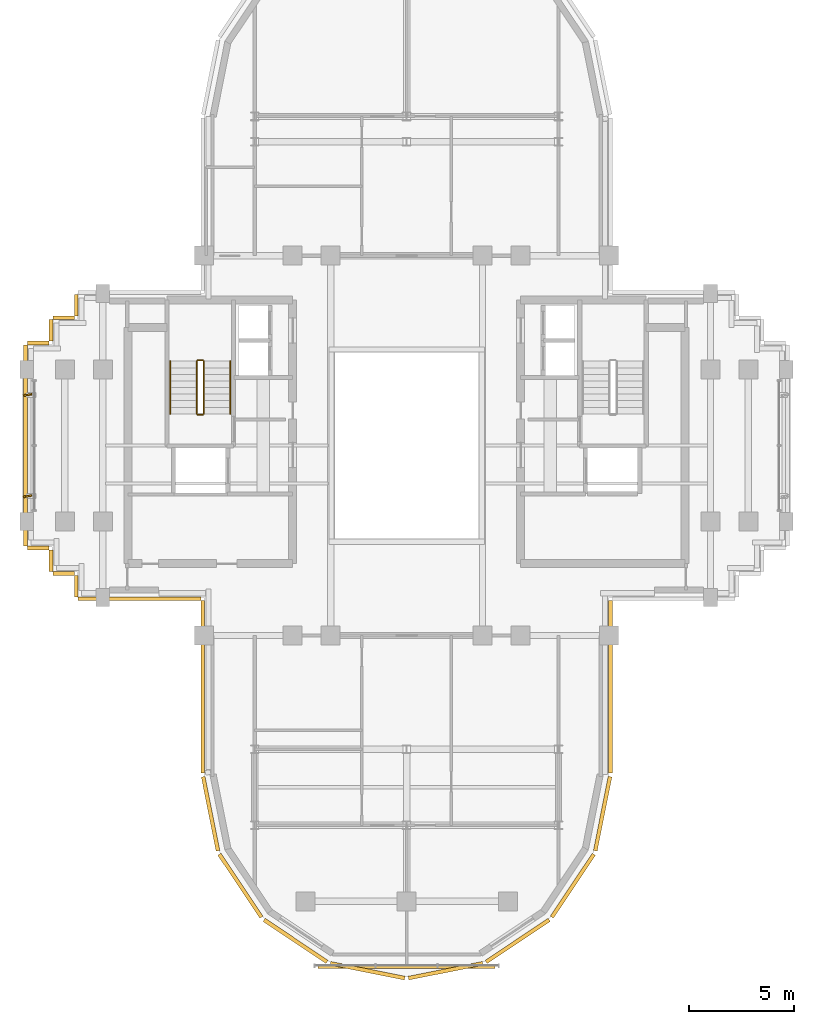
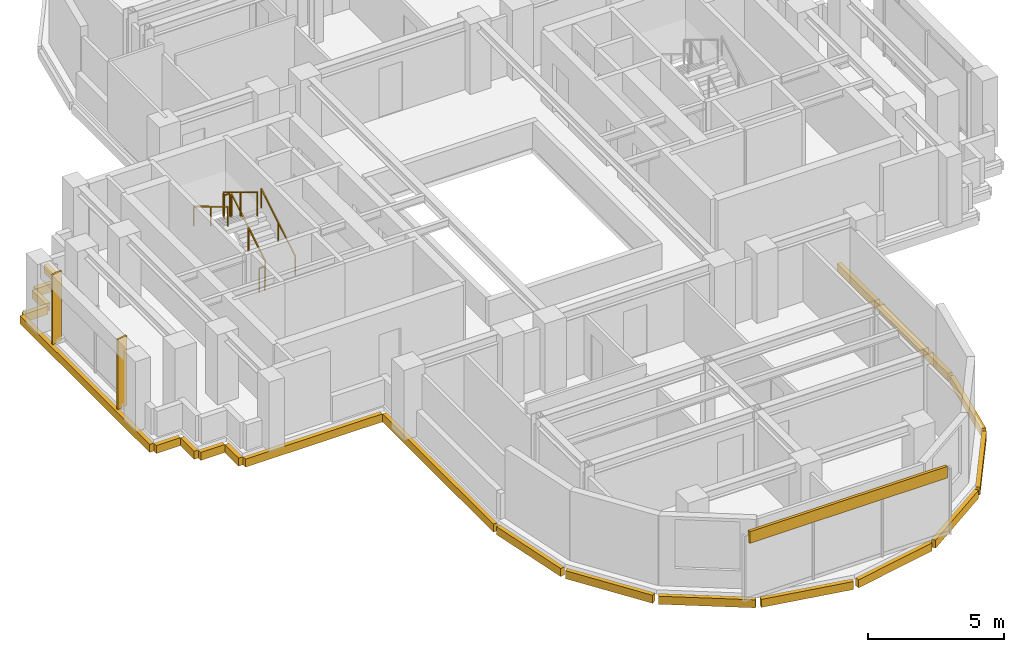
# One storey, part 9 of 11: 21 coverings, 6 railings, 2 shading devices.
"""IFC4 building model written with IfcOpenShell, lengths in metres."""

from ifc_helpers import new_model, si_unit, direction, frame, origin, origin_2d, place, context, subcontext, project, spatial, rectangle, extrude, source, transform, mapped, material, layer, layer_set, type_object, element, save


model = new_model("IFC4")

# Units and contexts
model_context = context("Model", 3, precision=1e-05, world=origin(), true_north=direction((0.0, 1.0)))
body_context = subcontext(model_context, "Body", "Model", "MODEL_VIEW")
ifc_project = project(units=[si_unit("LENGTHUNIT", "METRE"), si_unit("AREAUNIT", "SQUARE_METRE"), si_unit("VOLUMEUNIT", "CUBIC_METRE"), si_unit("PLANEANGLEUNIT", "RADIAN"), si_unit("MASSUNIT", "GRAM", prefix="KILO")], contexts=[model_context])

# Site, building, storey
site_placement = place(None, origin())
site = spatial("IfcSite", under=ifc_project, at=site_placement, CompositionType="ELEMENT")
building_placement = place(site_placement, origin())
building = spatial("IfcBuilding", under=site, at=building_placement, Name="Keilestroom Media Tower", CompositionType="ELEMENT")
storey_placement = place(building_placement, frame((0.0, 0.0, 211.39990234375)))
storey = spatial("IfcBuildingStorey", under=building, at=storey_placement, Name="L58", CompositionType="ELEMENT", Elevation=211.39990234375)

# Railings
ifc_material_1 = material(Name="Brushed Stainless Steel 1.4301", Category="steel")
railing_type_1 = type_object("IfcRailingType", Name="Stair-Pitch-Handrail-920", PredefinedType="HANDRAIL", material=ifc_material_1)
railing_1_placement = place(storey_placement, frame((-8.35009765625, 1.5, 0.18896484375)))
element("IfcRailing", 1, at=railing_1_placement, inside=storey, type_object=railing_type_1, Name="L58 ST-1 stair handrail 1", PredefinedType="HANDRAIL", context=body_context, shape_type="SweptSolid", body=[
    extrude(rectangle(XDim=0.048095703125, YDim=0.048095703125, at=origin_2d()), frame((0.0, 0.0, 0.8759765625), z_axis=(0.0, 0.855433747314, 0.517912255074), x_axis=(-1.0, 0.0, 0.0)), (0.0, 0.0, 1.0), 2.91796875),
    extrude(rectangle(XDim=0.0419921875, YDim=0.0419921875, at=origin_2d()), origin(), (0.0, 0.0, 1.0), 0.84375),
    extrude(rectangle(XDim=0.0419921875, YDim=0.0419921875, at=origin_2d()), frame((0.0, 1.248046875, 0.755615234375)), (0.0, 0.0, 1.0), 0.84375),
    extrude(rectangle(XDim=0.0419921875, YDim=0.0419921875, at=origin_2d()), frame((0.0, 2.49609375, 1.51123046875)), (0.0, 0.0, 1.0), 0.84375),
])
railing_2_placement = place(storey_placement, frame((-11.2099609375, 3.99609375, 1.888916015625)))
element("IfcRailing", 2, at=railing_2_placement, inside=storey, type_object=railing_type_1, Name="L58 ST-1 stair handrail 2", PredefinedType="HANDRAIL", context=body_context, shape_type="SweptSolid", body=[
    extrude(rectangle(XDim=0.048095703125, YDim=0.048095703125, at=origin_2d()), frame((0.0, 0.0, 0.8759765625), z_axis=(0.0, -0.855433747314, 0.517912255074), x_axis=(1.0, 0.0, 0.0)), (0.0, 0.0, 1.0), 2.91796875),
    extrude(rectangle(XDim=0.0419921875, YDim=0.0419921875, at=origin_2d()), origin(), (0.0, 0.0, 1.0), 0.84375),
    extrude(rectangle(XDim=0.0419921875, YDim=0.0419921875, at=origin_2d()), frame((0.0, -1.248046875, 0.755615234375)), (0.0, 0.0, 1.0), 0.84375),
    extrude(rectangle(XDim=0.0419921875, YDim=0.0419921875, at=origin_2d()), frame((0.0, -2.49609375, 1.51123046875)), (0.0, 0.0, 1.0), 0.84375),
])
ifc_material_2 = material(Name="Painted Steel Balustrade", Category="steel")
railing_type_2 = type_object("IfcRailingType", Name="Stair-Well-And-Landing-Guard-1100", PredefinedType="GUARDRAIL", material=ifc_material_2)
railing_3_placement = place(storey_placement, frame((-9.610107421875, 1.5, 0.18896484375)))
element("IfcRailing", 3, at=railing_3_placement, inside=storey, type_object=railing_type_2, Name="L58 ST-1 stair guard 1", PredefinedType="GUARDRAIL", context=body_context, shape_type="SweptSolid", body=[
    extrude(rectangle(XDim=0.048095703125, YDim=0.048095703125, at=origin_2d()), frame((0.0, 0.0, 1.076171875), z_axis=(0.0, 0.855433747314, 0.517912255074), x_axis=(-1.0, 0.0, 0.0)), (0.0, 0.0, 1.0), 2.91796875),
    extrude(rectangle(XDim=0.0419921875, YDim=0.0419921875, at=origin_2d()), origin(), (0.0, 0.0, 1.0), 1.0439453125),
    extrude(rectangle(XDim=0.0419921875, YDim=0.0419921875, at=origin_2d()), frame((0.0, 1.248046875, 0.755615234375)), (0.0, 0.0, 1.0), 1.0439453125),
    extrude(rectangle(XDim=0.0419921875, YDim=0.0419921875, at=origin_2d()), frame((0.0, 2.49609375, 1.51123046875)), (0.0, 0.0, 1.0), 1.0439453125),
])
railing_4_placement = place(storey_placement, frame((-9.659912109375, 4.0458984375, 1.7001953125)))
element("IfcRailing", 4, at=railing_4_placement, inside=storey, type_object=railing_type_2, Name="L58 ST-1 stair guard 2", PredefinedType="GUARDRAIL", context=body_context, shape_type="SweptSolid", body=[
    extrude(rectangle(XDim=0.048095703125, YDim=0.048095703125, at=origin_2d()), frame((0.0, 0.0, 1.076171875), z_axis=(-1.0, 0.0, 0.0), x_axis=(0.0, -1.0, 0.0)), (0.0, 0.0, 1.0), 0.239990234375),
    extrude(rectangle(XDim=0.0419921875, YDim=0.0419921875, at=origin_2d()), origin(), (0.0, 0.0, 1.0), 1.0439453125),
    extrude(rectangle(XDim=0.0419921875, YDim=0.0419921875, at=origin_2d()), frame((-0.239990234375, 0.0, 0.0)), (0.0, 0.0, 1.0), 1.0439453125),
])
railing_5_placement = place(storey_placement, frame((-9.949951171875, 3.99609375, 1.888916015625)))
element("IfcRailing", 5, at=railing_5_placement, inside=storey, type_object=railing_type_2, Name="L58 ST-1 stair guard 3", PredefinedType="GUARDRAIL", context=body_context, shape_type="SweptSolid", body=[
    extrude(rectangle(XDim=0.048095703125, YDim=0.048095703125, at=origin_2d()), frame((0.0, 0.0, 1.076171875), z_axis=(0.0, -0.855433747314, 0.517912255074), x_axis=(1.0, 0.0, 0.0)), (0.0, 0.0, 1.0), 2.91796875),
    extrude(rectangle(XDim=0.0419921875, YDim=0.0419921875, at=origin_2d()), origin(), (0.0, 0.0, 1.0), 1.0439453125),
    extrude(rectangle(XDim=0.0419921875, YDim=0.0419921875, at=origin_2d()), frame((0.0, -1.248046875, 0.755615234375)), (0.0, 0.0, 1.0), 1.0439453125),
    extrude(rectangle(XDim=0.0419921875, YDim=0.0419921875, at=origin_2d()), frame((0.0, -2.49609375, 1.51123046875)), (0.0, 0.0, 1.0), 1.0439453125),
])
railing_6_placement = place(storey_placement, frame((-9.659912109375, 1.449951171875, 0.0)))
element("IfcRailing", 6, at=railing_6_placement, inside=storey, type_object=railing_type_2, Name="L58 ST-1 stair guard 4", PredefinedType="GUARDRAIL", context=body_context, shape_type="SweptSolid", body=[
    extrude(rectangle(XDim=0.048095703125, YDim=0.048095703125, at=origin_2d()), frame((0.0, 0.0, 1.076171875), z_axis=(-1.0, 0.0, 0.0), x_axis=(0.0, -1.0, 0.0)), (0.0, 0.0, 1.0), 0.239990234375),
    extrude(rectangle(XDim=0.0419921875, YDim=0.0419921875, at=origin_2d()), origin(), (0.0, 0.0, 1.0), 1.0439453125),
    extrude(rectangle(XDim=0.0419921875, YDim=0.0419921875, at=origin_2d()), frame((-0.239990234375, 0.0, 0.0)), (0.0, 0.0, 1.0), 1.0439453125),
])

# Covering
ifc_material_3 = material(Name="Precast concrete C40/50", Category="concrete")
ifc_layer = layer(ifc_material_3, 0.1201171875)
ifc_layer_set = layer_set([ifc_layer], Name="Precast concrete C40/50")
covering_type = type_object("IfcCoveringType", Name="Exterior-Precast-Spandrel-Cladding-Panel-120", PredefinedType="CLADDING", material=ifc_layer_set)
shared_shape_1 = source(origin(), body_context, "Body", "SweptSolid", [
    extrude(rectangle(XDim=8.39990234375, YDim=0.1201171875, at=origin_2d()), origin(), (0.0, 0.0, 1.0), 0.52001953125),
])
covering_1_placement = place(storey_placement, frame((0.0, -24.719970703125, 2.630126953125), z_axis=(0.0, 0.0, 1.0), x_axis=(1.0, 0.0, 0.0)))
element("IfcCovering", 7, at=covering_1_placement, inside=storey, type_object=covering_type, Name="L58 Precast Spandrel Cladding S", PredefinedType="CLADDING", context=body_context, shape_type="MappedRepresentation", body=[
    mapped(shared_shape_1, transform((0.0, 0.0, 0.0), x_axis=(1.0, 0.0, 0.0), y_axis=(0.0, 1.0, 0.0), z_axis=(0.0, 0.0, 1.0), scale=1.0)),
])

# Shading devices
ifc_material_4 = material(Name="Bronze Anodised Aluminium", Category="aluminium")
shading_device_type = type_object("IfcShadingDeviceType", Name="Facade-Vertical-Sunshade-Fin-SHD-1", PredefinedType="USERDEFINED", material=ifc_material_4)
shared_shape_2 = source(origin(), body_context, "Body", "SweptSolid", [
    extrude(rectangle(XDim=0.419921875, YDim=0.080078125, at=origin_2d()), origin(), (0.0, 0.0, 1.0), 3.139892578125),
])
for number, where, z_axis, x_axis, name in (
    (8, (-17.969970703125, -2.39990234375, 0.0), (0.0, 0.0, 1.0), (0.986742655175, 0.162292736925, 0.0), "L58 Twisting Sunshade Fin SHD-1 085"),
    (9, (-17.969970703125, 2.39990234375, 0.0), (0.0, 0.0, 1.0), (0.986742655175, 0.162292736925, 0.0), "L58 Twisting Sunshade Fin SHD-1 086"),
):
    element("IfcShadingDevice", number, at=place(storey_placement, frame(where, z_axis=z_axis, x_axis=x_axis)), inside=storey, type_object=shading_device_type, Name=name, ObjectType="SUNSHADE", PredefinedType="USERDEFINED", context=body_context, shape_type="MappedRepresentation", body=[
        mapped(shared_shape_2, transform((0.0, 0.0, 0.0), x_axis=(1.0, 0.0, 0.0), y_axis=(0.0, 1.0, 0.0), z_axis=(0.0, 0.0, 1.0), scale=1.0)),
    ])

# Coverings
shared_shape_3 = source(origin(), body_context, "Body", "SweptSolid", [
    extrude(rectangle(XDim=1.02001953125, YDim=0.179931640625, at=origin_2d()), origin(), (0.0, 0.0, 1.0), 0.360107421875),
])
for number, where, z_axis, x_axis, name in (
    (10, (-15.659912109375, -6.659912109375, -0.5400390625), (0.0, 0.0, 1.0), (0.0, 1.0, 0.0), "L58 Precast Slab-Edge Fascia Cornice 17"),
    (11, (-16.260009765625, -6.06005859375, -0.5400390625), (0.0, 0.0, 1.0), (-1.0, 0.0, 0.0), "L58 Precast Slab-Edge Fascia Cornice 18"),
    (12, (-16.860107421875, -5.4599609375, -0.5400390625), (0.0, 0.0, 1.0), (0.0, 1.0, 0.0), "L58 Precast Slab-Edge Fascia Cornice 19"),
    (13, (-17.4599609375, -4.860107421875, -0.5400390625), (0.0, 0.0, 1.0), (-1.0, 0.0, 0.0), "L58 Precast Slab-Edge Fascia Cornice 20"),
    (14, (-17.4599609375, 4.860107421875, -0.5400390625), (0.0, 0.0, 1.0), (1.0, 0.0, 0.0), "L58 Precast Slab-Edge Fascia Cornice 22"),
    (15, (-16.860107421875, 5.4599609375, -0.5400390625), (0.0, 0.0, 1.0), (0.0, 1.0, 0.0), "L58 Precast Slab-Edge Fascia Cornice 23"),
    (16, (-16.260009765625, 6.06005859375, -0.5400390625), (0.0, 0.0, 1.0), (1.0, 0.0, 0.0), "L58 Precast Slab-Edge Fascia Cornice 24"),
    (17, (-15.659912109375, 6.659912109375, -0.5400390625), (0.0, 0.0, 1.0), (0.0, 1.0, 0.0), "L58 Precast Slab-Edge Fascia Cornice 25"),
):
    element("IfcCovering", number, at=place(storey_placement, frame(where, z_axis=z_axis, x_axis=x_axis)), inside=storey, type_object=covering_type, Name=name, PredefinedType="CLADDING", context=body_context, shape_type="MappedRepresentation", body=[
        mapped(shared_shape_3, transform((0.0, 0.0, 0.0), x_axis=(1.0, 0.0, 0.0), y_axis=(0.0, 1.0, 0.0), z_axis=(0.0, 0.0, 1.0), scale=1.0)),
    ])
shared_shape_4 = source(origin(), body_context, "Body", "SweptSolid", [
    extrude(rectangle(XDim=8.166015625, YDim=0.179931640625, at=origin_2d()), origin(), (0.0, 0.0, 1.0), 0.360107421875),
])
for number, where, z_axis, x_axis, name in (
    (18, (9.659912109375, -11.43310546875, -0.5400390625), (0.0, 0.0, 1.0), (0.0, -1.0, 0.0), "L58 Precast Slab-Edge Fascia Cornice 06"),
    (19, (-9.659912109375, -11.43310546875, -0.5400390625), (0.0, 0.0, 1.0), (0.0, 1.0, 0.0), "L58 Precast Slab-Edge Fascia Cornice 15"),
):
    element("IfcCovering", number, at=place(storey_placement, frame(where, z_axis=z_axis, x_axis=x_axis)), inside=storey, type_object=covering_type, Name=name, PredefinedType="CLADDING", context=body_context, shape_type="MappedRepresentation", body=[
        mapped(shared_shape_4, transform((0.0, 0.0, 0.0), x_axis=(1.0, 0.0, 0.0), y_axis=(0.0, 1.0, 0.0), z_axis=(0.0, 0.0, 1.0), scale=1.0)),
    ])
shared_shape_5 = source(origin(), body_context, "Body", "SweptSolid", [
    extrude(rectangle(XDim=3.58349609375, YDim=0.179931640625, at=origin_2d()), origin(), (0.0, 0.0, 1.0), 0.360107421875),
])
for number, where, z_axis, x_axis, name in (
    (20, (9.29296875, -17.45166015625, -0.5400390625), (0.0, 0.0, 1.0), (-0.195098880975, -0.980783577882, 0.0), "L58 Precast Slab-Edge Fascia Cornice 07"),
    (21, (-9.29296875, -17.45166015625, -0.5400390625), (0.0, 0.0, 1.0), (-0.195098880975, 0.980783577882, 0.0), "L58 Precast Slab-Edge Fascia Cornice 14"),
):
    element("IfcCovering", number, at=place(storey_placement, frame(where, z_axis=z_axis, x_axis=x_axis)), inside=storey, type_object=covering_type, Name=name, PredefinedType="CLADDING", context=body_context, shape_type="MappedRepresentation", body=[
        mapped(shared_shape_5, transform((0.0, 0.0, 0.0), x_axis=(1.0, 0.0, 0.0), y_axis=(0.0, 1.0, 0.0), z_axis=(0.0, 0.0, 1.0), scale=1.0)),
    ])
shared_shape_6 = source(origin(), body_context, "Body", "SweptSolid", [
    extrude(rectangle(XDim=3.589599609375, YDim=0.179931640625, at=origin_2d()), origin(), (0.0, 0.0, 1.0), 0.360107421875),
])
for number, where, z_axis, x_axis, name in (
    (22, (7.878662109375, -20.8642578125, -0.5400390625), (0.0, 0.0, 1.0), (-0.555574586577, -0.831466703332, 0.0), "L58 Precast Slab-Edge Fascia Cornice 08"),
    (23, (5.264404296875, -23.478515625, -0.5400390625), (0.0, 0.0, 1.0), (-0.831466703332, -0.555574586577, 0.0), "L58 Precast Slab-Edge Fascia Cornice 09"),
    (24, (1.8486328125, -24.893310546875, -0.5400390625), (0.0, 0.0, 1.0), (-0.980783577882, -0.195098880975, 0.0), "L58 Precast Slab-Edge Fascia Cornice 10"),
    (25, (-1.8486328125, -24.893310546875, -0.5400390625), (0.0, 0.0, 1.0), (-0.980783577882, 0.195098880975, 0.0), "L58 Precast Slab-Edge Fascia Cornice 11"),
    (26, (-5.264404296875, -23.478515625, -0.5400390625), (0.0, 0.0, 1.0), (-0.831466703332, 0.555574586577, 0.0), "L58 Precast Slab-Edge Fascia Cornice 12"),
    (27, (-7.878662109375, -20.8642578125, -0.5400390625), (0.0, 0.0, 1.0), (-0.555574586577, 0.831466703332, 0.0), "L58 Precast Slab-Edge Fascia Cornice 13"),
):
    element("IfcCovering", number, at=place(storey_placement, frame(where, z_axis=z_axis, x_axis=x_axis)), inside=storey, type_object=covering_type, Name=name, PredefinedType="CLADDING", context=body_context, shape_type="MappedRepresentation", body=[
        mapped(shared_shape_6, transform((0.0, 0.0, 0.0), x_axis=(1.0, 0.0, 0.0), y_axis=(0.0, 1.0, 0.0), z_axis=(0.0, 0.0, 1.0), scale=1.0)),
    ])
shared_shape_7 = source(origin(), body_context, "Body", "SweptSolid", [
    extrude(rectangle(XDim=9.5400390625, YDim=0.179931640625, at=origin_2d()), origin(), (0.0, 0.0, 1.0), 0.360107421875),
])
covering_2_placement = place(storey_placement, frame((-18.06005859375, 0.0, -0.5400390625), z_axis=(0.0, 0.0, 1.0), x_axis=(0.0, 1.0, 0.0)))
element("IfcCovering", 28, at=covering_2_placement, inside=storey, type_object=covering_type, Name="L58 Precast Slab-Edge Fascia Cornice 21", PredefinedType="CLADDING", context=body_context, shape_type="MappedRepresentation", body=[
    mapped(shared_shape_7, transform((0.0, 0.0, 0.0), x_axis=(1.0, 0.0, 0.0), y_axis=(0.0, 1.0, 0.0), z_axis=(0.0, 0.0, 1.0), scale=1.0)),
])
shared_shape_8 = source(origin(), body_context, "Body", "SweptSolid", [
    extrude(rectangle(XDim=5.820068359375, YDim=0.179931640625, at=origin_2d()), origin(), (0.0, 0.0, 1.0), 0.360107421875),
])
covering_3_placement = place(storey_placement, frame((-12.659912109375, -7.260009765625, -0.5400390625), z_axis=(0.0, 0.0, 1.0), x_axis=(-1.0, 0.0, 0.0)))
element("IfcCovering", 29, at=covering_3_placement, inside=storey, type_object=covering_type, Name="L58 Precast Slab-Edge Fascia Cornice 16", PredefinedType="CLADDING", context=body_context, shape_type="MappedRepresentation", body=[
    mapped(shared_shape_8, transform((0.0, 0.0, 0.0), x_axis=(1.0, 0.0, 0.0), y_axis=(0.0, 1.0, 0.0), z_axis=(0.0, 0.0, 1.0), scale=1.0)),
])

save(model, "model.ifc")
